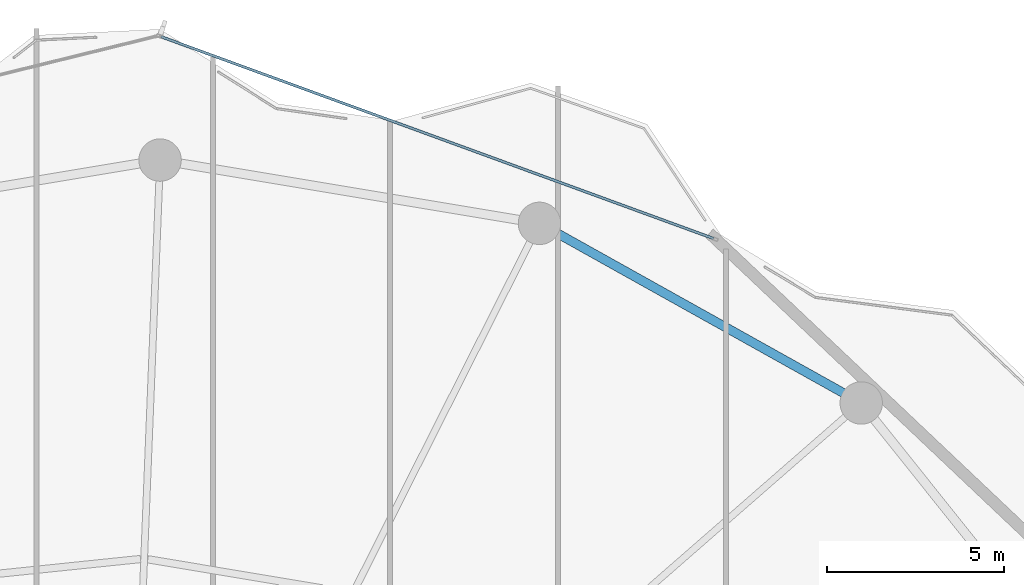
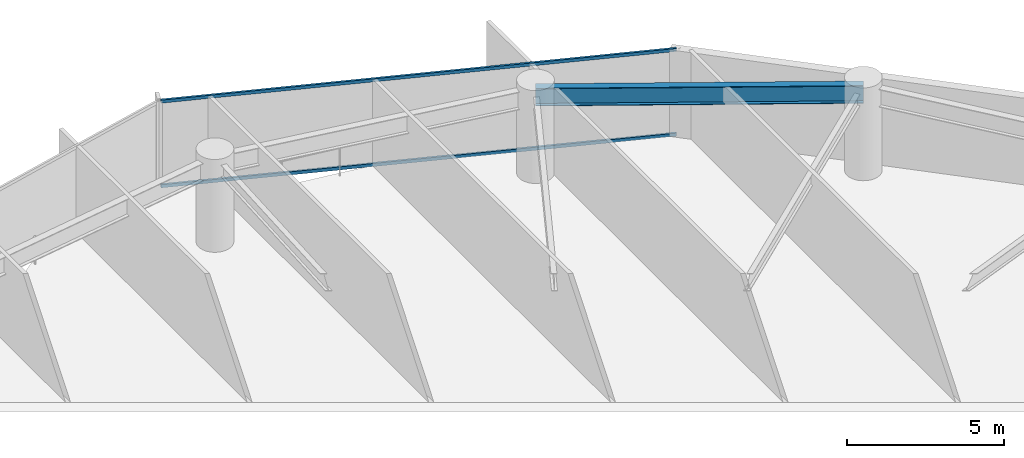
# One storey, part 20 of 28: 2 members, 1 beam, 1 element without a shape of its own.
"""IFC4 building model written with IfcOpenShell, lengths in metres."""

from ifc_helpers import new_model, si_unit, direction, frame, origin, origin_2d, place, context, subcontext, project, spatial, hollow_rectangle, i_section, extrude, material, layer, layer_set, material_profile, profile_set, type_object, element, aggregate, save


model = new_model("IFC4")

# Units and contexts
model_context = context("Model", 3, precision=1e-05, world=origin(), true_north=direction((0.0, 1.0)))
body_context = subcontext(model_context, "Body", "Model", "MODEL_VIEW")
ifc_project = project(units=[si_unit("LENGTHUNIT", "METRE"), si_unit("AREAUNIT", "SQUARE_METRE"), si_unit("VOLUMEUNIT", "CUBIC_METRE"), si_unit("PLANEANGLEUNIT", "RADIAN"), si_unit("MASSUNIT", "GRAM", prefix="KILO")], contexts=[model_context])

# Site, building, storey
site_placement = place(None, origin())
site = spatial("IfcSite", under=ifc_project, at=site_placement, CompositionType="ELEMENT")
building_placement = place(site_placement, origin())
building = spatial("IfcBuilding", under=site, at=building_placement, Name="Kazevale Care Tower and Concert Hall", CompositionType="ELEMENT")
storey_placement = place(building_placement, frame((0.0, 0.0, 135.0)))
storey = spatial("IfcBuildingStorey", under=building, at=storey_placement, Name="L35", CompositionType="ELEMENT", Elevation=135.0)

# Curtain wall, members
ifc_material_1 = material(Name="Aluminium 6063-T6 and Low-E Glass", Category="aluminium")
ifc_layer = layer(ifc_material_1, 0.179931640625)
ifc_layer_set = layer_set([ifc_layer], Name="Aluminium 6063-T6 and Low-E Glass")
curtain_wall_type = type_object("IfcCurtainWallType", Name="Convex Checkerboard Finned Curtain Wall CW-2", PredefinedType="NOTDEFINED", material=ifc_layer_set)
curtain_wall_placement = place(storey_placement, origin())
curtain_wall = element("IfcCurtainWall", 1, at=curtain_wall_placement, inside=storey, type_object=curtain_wall_type, Name="cw:L35:f16", PredefinedType="NOTDEFINED")
ifc_material_2 = material(Name="Aluminium 6063-T6", Category="aluminium")
ifc_material_profile_1 = material_profile(ifc_material_2, hollow_rectangle(XDim=0.074951171875, YDim=0.1201171875, WallThickness=0.00390625, at=origin_2d()), Name="ALU75x120x4")
ifc_profile_set_1 = profile_set([ifc_material_profile_1], Name="Aluminium 6063-T6")
member_type = type_object("IfcMemberType", Name="CW-2 Transom ALU75x120x4", PredefinedType="USERDEFINED", material=ifc_profile_set_1)
member_1_placement = place(storey_placement, frame((45.027099609375, 64.939453125, 0.03759765625), z_axis=(0.939285028824, -0.343137923622, 0.0), x_axis=(0.343137923622, 0.939285028824, 0.0)))
member_1 = element("IfcMember", 2, at=member_1_placement, type_object=member_type, Name="CW-2 transom 1.1", ObjectType="TRANSOM", PredefinedType="USERDEFINED", context=body_context, shape_type="SweptSolid", body=[
    extrude(hollow_rectangle(XDim=0.074951171875, YDim=0.1201171875, WallThickness=0.00390625, at=origin_2d()), origin(), (0.0, 0.0, 1.0), 16.634765625),
])
member_2_placement = place(storey_placement, frame((45.027099609375, 64.939453125, 3.322509765625), z_axis=(0.939285028824, -0.343137923622, 0.0), x_axis=(0.343137923622, 0.939285028824, 0.0)))
member_2 = element("IfcMember", 3, at=member_2_placement, type_object=member_type, Name="CW-2 transom 1.2", ObjectType="TRANSOM", PredefinedType="USERDEFINED", context=body_context, shape_type="SweptSolid", body=[
    extrude(hollow_rectangle(XDim=0.074951171875, YDim=0.1201171875, WallThickness=0.00390625, at=origin_2d()), origin(), (0.0, 0.0, 1.0), 16.634765625),
])
aggregate(curtain_wall, [member_1, member_2])

# Beam
ifc_material_3 = material(Name="Steel ASTM A572 Gr 50", Category="steel")
ifc_material_profile_2 = material_profile(ifc_material_3, i_section(OverallWidth=0.256103515625, OverallDepth=0.693115234375, WebThickness=0.014404296875, FlangeThickness=0.023681640625, at=origin_2d()), Name="W690x170")
ifc_profile_set_2 = profile_set([ifc_material_profile_2], Name="Steel ASTM A572 Gr 50")
beam_type = type_object("IfcBeamType", Name="Waist Ring Beam W690x170", PredefinedType="BEAM", material=ifc_profile_set_2)
beam_placement = place(storey_placement, frame((64.830078125, 54.580078125, 3.013427734375), z_axis=(-0.873168720251, 0.487418081297, 0.0), x_axis=(-0.487418081297, -0.873168720251, 0.0)))
element("IfcBeam", 4, at=beam_placement, inside=storey, type_object=beam_type, Name="beam:L35:ring:03", PredefinedType="BEAM", context=body_context, shape_type="SweptSolid", body=[
    extrude(i_section(OverallWidth=0.256103515625, OverallDepth=0.693115234375, WebThickness=0.014404296875, FlangeThickness=0.023681640625, at=origin_2d()), origin(), (0.0, 0.0, 1.0), 10.421875),
])

save(model, "model.ifc")
